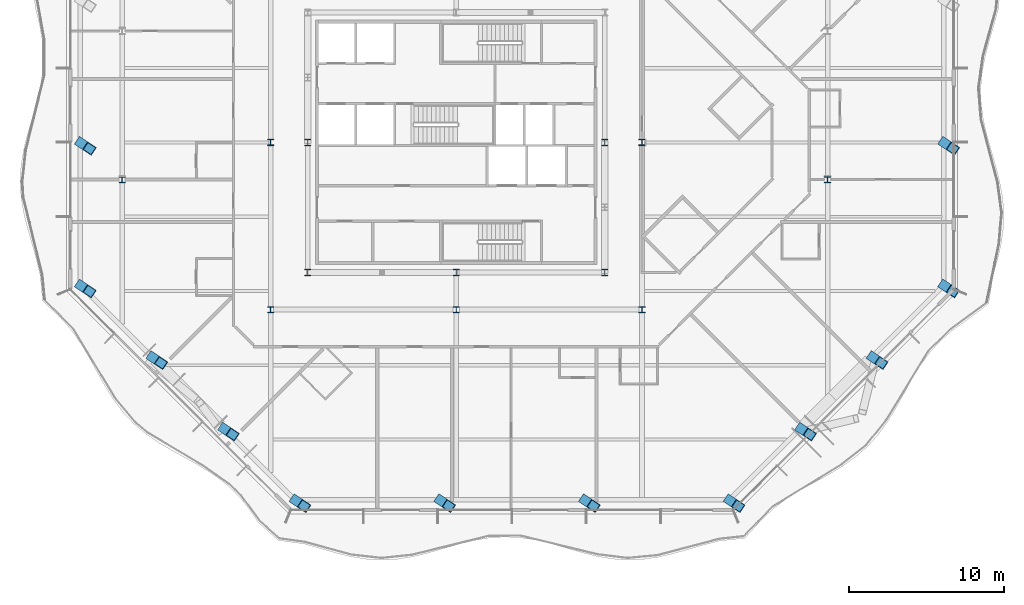
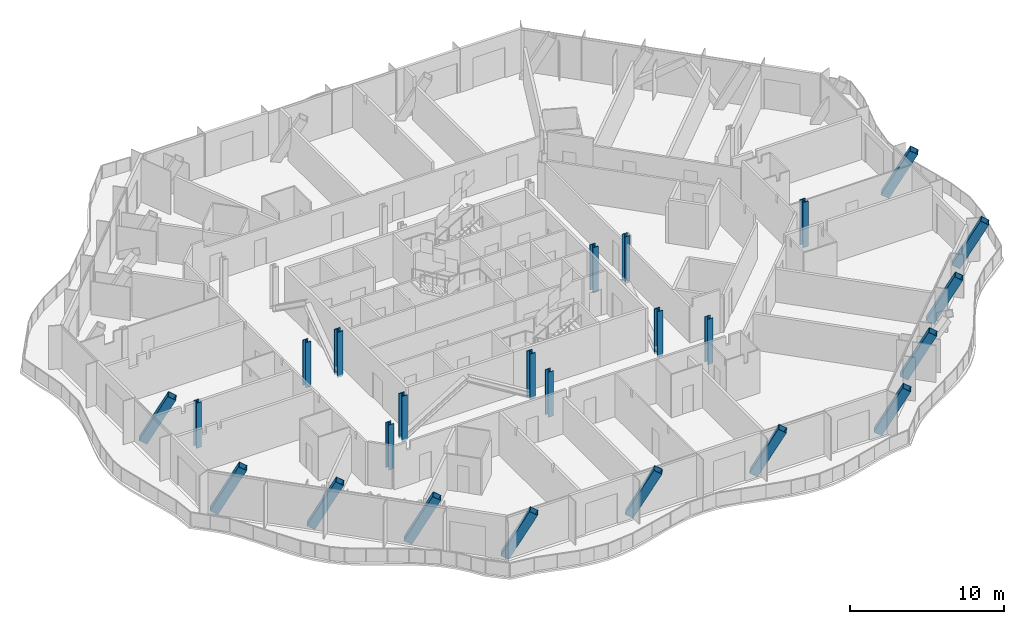
# One storey, part 1 of 19: 24 columns.
"""IFC4 building model written with IfcOpenShell, lengths in metres."""

from ifc_helpers import new_model, si_unit, direction, frame, origin, origin_2d, place, context, subcontext, project, spatial, hollow_rectangle, i_section, extrude, clip, halfspace, material, material_profile, profile_set, type_object, element, save


model = new_model("IFC4")

# Units and contexts
model_context = context("Model", 3, precision=1e-05, world=origin(), true_north=direction((0.0, 1.0)))
body_context = subcontext(model_context, "Body", "Model", "MODEL_VIEW")
ifc_project = project(units=[si_unit("LENGTHUNIT", "METRE"), si_unit("AREAUNIT", "SQUARE_METRE"), si_unit("VOLUMEUNIT", "CUBIC_METRE"), si_unit("PLANEANGLEUNIT", "RADIAN"), si_unit("MASSUNIT", "GRAM", prefix="KILO")], contexts=[model_context])

# Site, building, storey
site_placement = place(None, origin())
site = spatial("IfcSite", under=ifc_project, at=site_placement, CompositionType="ELEMENT")
building_placement = place(site_placement, origin())
building = spatial("IfcBuilding", under=site, at=building_placement, Name="Cairn Pilgrim Tower", CompositionType="ELEMENT")
storey_placement = place(building_placement, frame((0.0, 0.0, 186.60009765625)))
storey = spatial("IfcBuildingStorey", under=building, at=storey_placement, Name="L47", CompositionType="ELEMENT", Elevation=186.60009765625)

# Columns
ifc_material_1 = material(Name="Structural steel S460M", Category="steel")
ifc_material_profile_1 = material_profile(ifc_material_1, hollow_rectangle(XDim=0.60009765625, YDim=0.60009765625, WallThickness=0.034912109375, at=origin_2d()), Name="BOX 600x600x35")
ifc_profile_set_1 = profile_set([ifc_material_profile_1], Name="Structural steel S460M")
column_type_1 = type_object("IfcColumnType", Name="BOX 600x600x35", PredefinedType="COLUMN", material=ifc_profile_set_1)
column_1_placement = place(storey_placement, frame((-3.227294921875, -20.699951171875, -0.150146484375), z_axis=(0.38726387287, -0.258155907814, 0.885088820419), x_axis=(0.554670435147, 0.832070134288, 0.0)))
element("IfcColumn", 1, at=column_1_placement, inside=storey, type_object=column_type_1, Name="PC2-S1", PredefinedType="COLUMN", context=body_context, shape_type="Clipping", body=[
    clip(extrude(hollow_rectangle(XDim=0.60009765625, YDim=0.60009765625, WallThickness=0.034912109375, at=origin_2d()), origin(), (0.0, 0.0, 1.0), 4.0673828125), halfspace(frame((0.0, 0.0, 4.049072265625), z_axis=(0.0, 0.0, 1.0), x_axis=(1.0, 0.0, 0.0)), False)),
])
column_2_placement = place(storey_placement, frame((6.124267578125, -20.699951171875, -0.150146484375), z_axis=(0.387212850535, -0.258161908255, 0.885109392961), x_axis=(0.554729959787, 0.832030451194, 0.0)))
element("IfcColumn", 2, at=column_2_placement, inside=storey, type_object=column_type_1, Name="PC2-S2", PredefinedType="COLUMN", context=body_context, shape_type="Clipping", body=[
    clip(extrude(hollow_rectangle(XDim=0.60009765625, YDim=0.60009765625, WallThickness=0.034912109375, at=origin_2d()), origin(), (0.0, 0.0, 1.0), 4.0673828125), halfspace(frame((0.0, 0.0, 4.048828125), z_axis=(0.0, 0.0, 1.0), x_axis=(1.0, 0.0, 0.0)), False)),
])
column_3_placement = place(storey_placement, frame((15.4755859375, -20.699951171875, -0.150146484375), z_axis=(0.38726387287, -0.258155907814, 0.885088820419), x_axis=(0.554670435147, 0.832070134288, 0.0)))
element("IfcColumn", 3, at=column_3_placement, inside=storey, type_object=column_type_1, Name="PC2-S3", PredefinedType="COLUMN", context=body_context, shape_type="Clipping", body=[
    clip(extrude(hollow_rectangle(XDim=0.60009765625, YDim=0.60009765625, WallThickness=0.034912109375, at=origin_2d()), origin(), (0.0, 0.0, 1.0), 4.0673828125), halfspace(frame((0.0, 0.0, 4.049072265625), z_axis=(0.0, 0.0, 1.0), x_axis=(1.0, 0.0, 0.0)), False)),
])
column_4_placement = place(storey_placement, frame((24.8271484375, -20.699951171875, -0.150146484375), z_axis=(0.387212850535, -0.258161908255, 0.885109392961), x_axis=(0.554729959787, 0.832030451194, 0.0)))
element("IfcColumn", 4, at=column_4_placement, inside=storey, type_object=column_type_1, Name="PC2-SE1", PredefinedType="COLUMN", context=body_context, shape_type="Clipping", body=[
    clip(extrude(hollow_rectangle(XDim=0.60009765625, YDim=0.60009765625, WallThickness=0.034912109375, at=origin_2d()), origin(), (0.0, 0.0, 1.0), 4.0673828125), halfspace(frame((0.0, 0.0, 4.048828125), z_axis=(0.0, 0.0, 1.0), x_axis=(1.0, 0.0, 0.0)), False)),
])
column_5_placement = place(storey_placement, frame((29.451416015625, -16.07568359375, -0.150146484375), z_axis=(0.38726387287, -0.258155907814, 0.885088820419), x_axis=(0.554670435147, 0.832070134288, 0.0)))
element("IfcColumn", 5, at=column_5_placement, inside=storey, type_object=column_type_1, Name="PC2-SE2", PredefinedType="COLUMN", context=body_context, shape_type="Clipping", body=[
    clip(extrude(hollow_rectangle(XDim=0.60009765625, YDim=0.60009765625, WallThickness=0.034912109375, at=origin_2d()), origin(), (0.0, 0.0, 1.0), 4.0673828125), halfspace(frame((0.0, 0.0, 4.049072265625), z_axis=(0.0, 0.0, 1.0), x_axis=(1.0, 0.0, 0.0)), False)),
])
for number, where, z_axis, x_axis, name in (
    (6, (34.07568359375, -11.451416015625, -0.150146484375), (0.387212850535, -0.258161908255, 0.885109392961), (0.554729959787, 0.832030451194, 0.0), "PC2-SE3"),
    (7, (38.699951171875, -6.8271484375, -0.150146484375), (0.387212850535, -0.258161908255, 0.885109392961), (0.554729959787, 0.832030451194, 0.0), "PC2-E1"),
    (8, (38.699951171875, 2.39990234375, -0.150146484375), (0.387218850162, -0.258105883692, 0.885123107191), (0.554640662713, 0.83208998027, 0.0), "PC2-E2"),
    (9, (-17.10009765625, 2.39990234375, -0.150146484375), (0.387269873009, -0.258099884367, 0.885102533693), (0.55458113914, 0.832129653426, 0.0), "PC2-W2"),
):
    element("IfcColumn", number, at=place(storey_placement, frame(where, z_axis=z_axis, x_axis=x_axis)), inside=storey, type_object=column_type_1, Name=name, PredefinedType="COLUMN", context=body_context, shape_type="Clipping", body=[
        clip(extrude(hollow_rectangle(XDim=0.60009765625, YDim=0.60009765625, WallThickness=0.034912109375, at=origin_2d()), origin(), (0.0, 0.0, 1.0), 4.0673828125), halfspace(frame((0.0, 0.0, 4.048828125), z_axis=(0.0, 0.0, 1.0), x_axis=(1.0, 0.0, 0.0)), False)),
    ])
column_6_placement = place(storey_placement, frame((-17.10009765625, -6.8271484375, -0.150146484375), z_axis=(0.38726387287, -0.258155907814, 0.885088820419), x_axis=(0.554670435147, 0.832070134288, 0.0)))
element("IfcColumn", 10, at=column_6_placement, inside=storey, type_object=column_type_1, Name="PC2-SW1", PredefinedType="COLUMN", context=body_context, shape_type="Clipping", body=[
    clip(extrude(hollow_rectangle(XDim=0.60009765625, YDim=0.60009765625, WallThickness=0.034912109375, at=origin_2d()), origin(), (0.0, 0.0, 1.0), 4.0673828125), halfspace(frame((0.0, 0.0, 4.049072265625), z_axis=(0.0, 0.0, 1.0), x_axis=(1.0, 0.0, 0.0)), False)),
])
for number, where, z_axis, x_axis, name in (
    (11, (-12.4755859375, -11.451416015625, -0.150146484375), (0.387212850535, -0.258161908255, 0.885109392961), (0.554729959787, 0.832030451194, 0.0), "PC2-SW2"),
    (12, (-7.8515625, -16.07568359375, -0.150146484375), (0.387212850535, -0.258161908255, 0.885109392961), (0.554729959787, 0.832030451194, 0.0), "PC2-SW3"),
):
    element("IfcColumn", number, at=place(storey_placement, frame(where, z_axis=z_axis, x_axis=x_axis)), inside=storey, type_object=column_type_1, Name=name, PredefinedType="COLUMN", context=body_context, shape_type="Clipping", body=[
        clip(extrude(hollow_rectangle(XDim=0.60009765625, YDim=0.60009765625, WallThickness=0.034912109375, at=origin_2d()), origin(), (0.0, 0.0, 1.0), 4.0673828125), halfspace(frame((0.0, 0.0, 4.048828125), z_axis=(0.0, 0.0, 1.0), x_axis=(1.0, 0.0, 0.0)), False)),
    ])
ifc_material_2 = material(Name="Structural steel S355J2", Category="steel")
ifc_material_profile_2 = material_profile(ifc_material_2, i_section(OverallWidth=0.39892578125, OverallDepth=0.39306640625, WebThickness=0.022705078125, FlangeThickness=0.03662109375, FilletRadius=0.014892578125, at=origin_2d()), Name="HD 400x287")
ifc_profile_set_2 = profile_set([ifc_material_profile_2], Name="Structural steel S355J2")
column_type_2 = type_object("IfcColumnType", Name="HD 400x287", PredefinedType="COLUMN", material=ifc_profile_set_2)
for number, where, z_axis, x_axis, name in (
    (13, (-4.800048828125, -8.39990234375, -0.150146484375), (0.0, 0.0, 1.0), (1.0, 0.0, 0.0), "IC-1"),
    (14, (7.199951171875, -8.39990234375, -0.150146484375), (0.0, 0.0, 1.0), (1.0, 0.0, 0.0), "IC-2"),
    (15, (19.199951171875, -8.39990234375, -0.150146484375), (0.0, 0.0, 1.0), (1.0, 0.0, 0.0), "IC-3"),
    (16, (-4.800048828125, 2.39990234375, -0.150146484375), (0.0, 0.0, 1.0), (1.0, 0.0, 0.0), "IC-4"),
    (17, (19.199951171875, 2.39990234375, -0.150146484375), (0.0, 0.0, 1.0), (1.0, 0.0, 0.0), "IC-5"),
    (18, (-14.39990234375, 0.0, -0.150146484375), (0.0, 0.0, 1.0), (1.0, 0.0, 0.0), "WC-WW+0"),
):
    element("IfcColumn", number, at=place(storey_placement, frame(where, z_axis=z_axis, x_axis=x_axis)), inside=storey, type_object=column_type_2, Name=name, PredefinedType="COLUMN", context=body_context, shape_type="SweptSolid", body=[
        extrude(i_section(OverallWidth=0.39892578125, OverallDepth=0.39306640625, WebThickness=0.022705078125, FlangeThickness=0.03662109375, FilletRadius=0.014892578125, at=origin_2d()), origin(), (0.0, 0.0, 1.0), 3.60009765625),
    ])
ifc_material_profile_3 = material_profile(ifc_material_1, i_section(OverallWidth=0.408935546875, OverallDepth=0.425048828125, WebThickness=0.03271484375, FlangeThickness=0.052490234375, FilletRadius=0.014892578125, at=origin_2d()), Name="HD 400x421")
ifc_profile_set_3 = profile_set([ifc_material_profile_3], Name="Structural steel S460M")
column_type_3 = type_object("IfcColumnType", Name="HD 400x421", PredefinedType="COLUMN", material=ifc_profile_set_3)
column_7_placement = place(storey_placement, frame((31.199951171875, 0.0, -0.150146484375), z_axis=(0.0, 0.0, 1.0), x_axis=(1.0, 0.0, 0.0)))
element("IfcColumn", 19, at=column_7_placement, inside=storey, type_object=column_type_3, Name="WC-WE+0", PredefinedType="COLUMN", context=body_context, shape_type="SweptSolid", body=[
    extrude(i_section(OverallWidth=0.408935546875, OverallDepth=0.425048828125, WebThickness=0.03271484375, FlangeThickness=0.052490234375, FilletRadius=0.014892578125, at=origin_2d()), origin(), (0.0, 0.0, 1.0), 3.60009765625),
])
ifc_material_profile_4 = material_profile(ifc_material_1, i_section(OverallWidth=0.416015625, OverallDepth=0.446044921875, WebThickness=0.0390625, FlangeThickness=0.062744140625, FilletRadius=0.014892578125, at=origin_2d()), Name="HD 400x509")
ifc_profile_set_4 = profile_set([ifc_material_profile_4], Name="Structural steel S460M")
column_type_4 = type_object("IfcColumnType", Name="HD 400x509", PredefinedType="COLUMN", material=ifc_profile_set_4)
for number, where, z_axis, x_axis, name in (
    (20, (-2.39990234375, -6.0, -0.150146484375), (0.0, 0.0, 1.0), (1.0, 0.0, 0.0), "KC-1"),
    (21, (7.199951171875, -6.0, -0.150146484375), (0.0, 0.0, 1.0), (1.0, 0.0, 0.0), "KC-2"),
    (22, (16.800048828125, -6.0, -0.150146484375), (0.0, 0.0, 1.0), (1.0, 0.0, 0.0), "KC-3"),
    (23, (-2.39990234375, 2.39990234375, -0.150146484375), (0.0, 0.0, 1.0), (1.0, 0.0, 0.0), "KC-4"),
    (24, (16.800048828125, 2.39990234375, -0.150146484375), (0.0, 0.0, 1.0), (1.0, 0.0, 0.0), "KC-5"),
):
    element("IfcColumn", number, at=place(storey_placement, frame(where, z_axis=z_axis, x_axis=x_axis)), inside=storey, type_object=column_type_4, Name=name, PredefinedType="COLUMN", context=body_context, shape_type="SweptSolid", body=[
        extrude(i_section(OverallWidth=0.416015625, OverallDepth=0.446044921875, WebThickness=0.0390625, FlangeThickness=0.062744140625, FilletRadius=0.014892578125, at=origin_2d()), origin(), (0.0, 0.0, 1.0), 3.60009765625),
    ])

save(model, "model.ifc")
